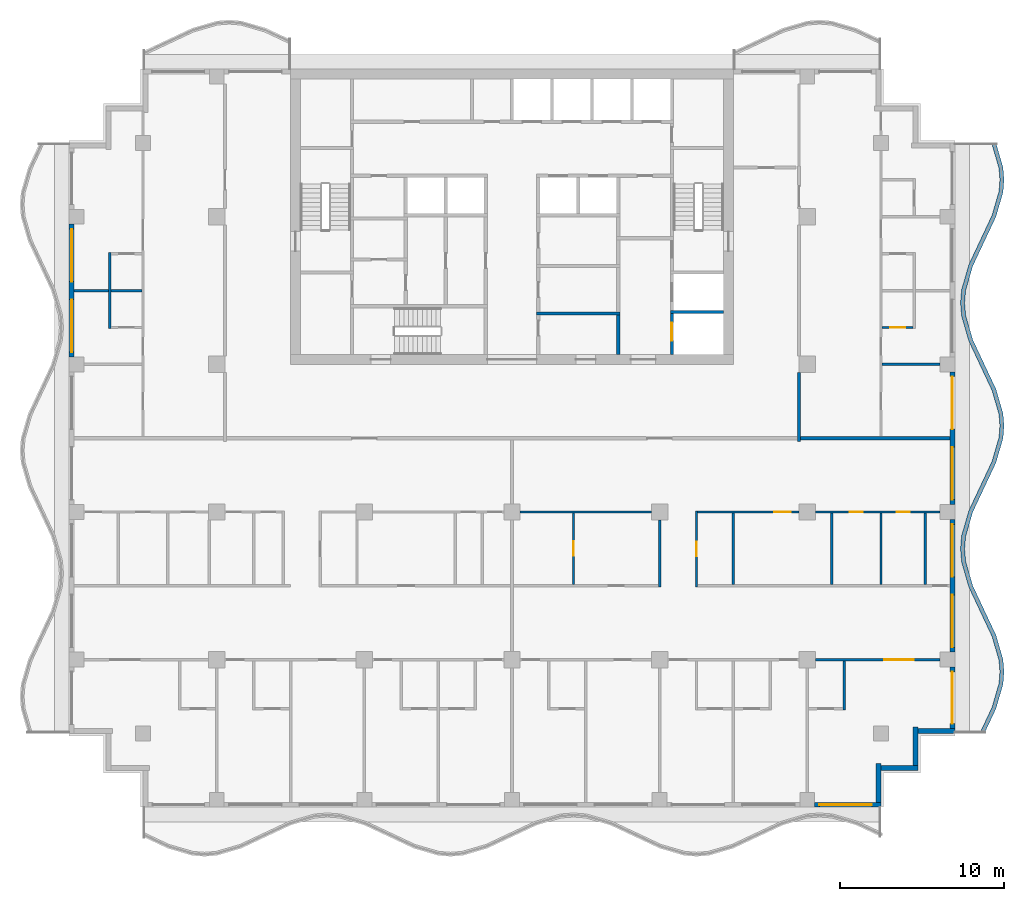
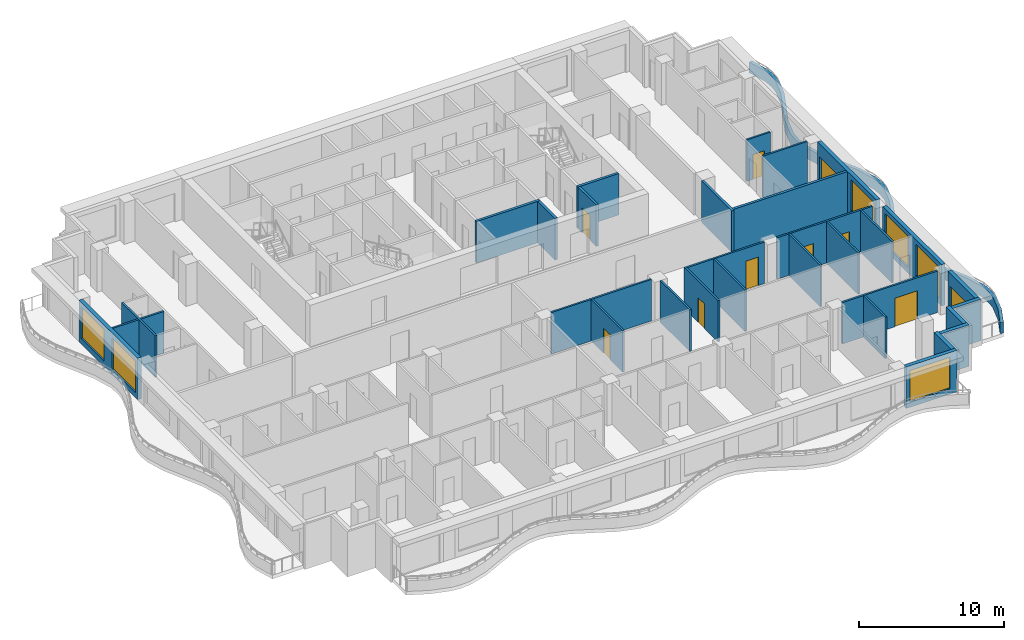
# One storey, part 4 of 11: 33 walls, 10 doors, 6 windows, 16 openings.
"""IFC4 building model written with IfcOpenShell, lengths in metres."""

from ifc_helpers import new_model, si_unit, direction, frame, frame_2d, origin, place, context, subcontext, project, spatial, polyline, rectangle, outline, extrude, material, layer, layer_set, type_object, element, fill, save


model = new_model("IFC4")

# Units and contexts
model_context = context("Model", 3, precision=1e-05, world=origin(), true_north=direction((0.0, 1.0)))
body_context = subcontext(model_context, "Body", "Model", "MODEL_VIEW")
ifc_project = project(units=[si_unit("LENGTHUNIT", "METRE"), si_unit("AREAUNIT", "SQUARE_METRE"), si_unit("VOLUMEUNIT", "CUBIC_METRE"), si_unit("PLANEANGLEUNIT", "RADIAN"), si_unit("MASSUNIT", "GRAM", prefix="KILO")], contexts=[model_context])

# Site, building, storey
site_placement = place(None, origin())
site = spatial("IfcSite", under=ifc_project, at=site_placement, CompositionType="ELEMENT")
building_placement = place(site_placement, origin())
building = spatial("IfcBuilding", under=site, at=building_placement, Name="Orbiselva Terraces", CompositionType="ELEMENT")
storey_placement = place(building_placement, frame((0.0, 0.0, 242.6)))
storey = spatial("IfcBuildingStorey", under=building, at=storey_placement, Name="L61", CompositionType="ELEMENT", Elevation=242.6)

# Walls
ifc_material_1 = material(Name="Concrete C60/75", Category="concrete")
ifc_layer_1 = layer(ifc_material_1, 0.2)
ifc_layer_set_1 = layer_set([ifc_layer_1], Name="Concrete C60/75")
wall_type_1 = type_object("IfcWallType", Name="CORE-WALL-SHEAR-200", PredefinedType="SHEAR", material=ifc_layer_set_1)
wall_1_placement = place(storey_placement, frame((1.5, 7.6, 0.0), z_axis=(0.0, 0.0, 1.0), x_axis=(1.0, 0.0, 0.0)))
element("IfcWall", 1, at=wall_1_placement, inside=storey, type_object=wall_type_1, Name="L61 core wall 28", PredefinedType="SHEAR", context=body_context, shape_type="SweptSolid", body=[
    extrude(rectangle(XDim=5.075, YDim=0.2, at=frame_2d((2.5375, 0.0))), origin(), (0.0, 0.0, 1.0), 3.5),
])
wall_2_placement = place(storey_placement, frame((6.475, 5.1, 0.0), z_axis=(0.0, 0.0, 1.0), x_axis=(0.0, 1.0, 0.0)))
element("IfcWall", 2, at=wall_2_placement, inside=storey, type_object=wall_type_1, Name="L61 core wall 38", PredefinedType="SHEAR", context=body_context, shape_type="SweptSolid", body=[
    extrude(rectangle(XDim=2.4, YDim=0.2, at=frame_2d((1.2, 0.0))), origin(), (0.0, 0.0, 1.0), 3.5),
])

# Wall, opening, door
wall_3_placement = place(storey_placement, frame((9.75, 5.1, 0.0), z_axis=(0.0, 0.0, 1.0), x_axis=(0.0, 1.0, 0.0)))
wall_3 = element("IfcWall", 3, at=wall_3_placement, inside=storey, type_object=wall_type_1, Name="L61 core wall 45", PredefinedType="SHEAR", context=body_context, shape_type="SweptSolid", body=[
    extrude(rectangle(XDim=2.5, YDim=0.2, at=frame_2d((1.25, 0.0))), origin(), (0.0, 0.0, 1.0), 3.5),
])
opening_1_placement = place(wall_3_placement, frame((0.85, 0.0, 0.0)))
opening_1 = element("IfcOpeningElement", 4, at=opening_1_placement, cuts=wall_3, Name="Opening LD-FF1", PredefinedType="OPENING", context=body_context, shape_type="SweptSolid", body=[
    extrude(rectangle(XDim=1.1, YDim=2.1, at=frame_2d((0.55, 1.05))), frame((0.0, 0.11, 0.0), z_axis=(0.0, -1.0, 0.0), x_axis=(1.0, 0.0, 0.0)), (0.0, 0.0, 1.0), 0.22),
])
ifc_material_2 = material(Name="Stainless steel landing door", Category="steel")
door_type_1 = type_object("IfcDoorType", Name="LANDING DOOR 1100", OperationType="SLIDING_TO_LEFT", PredefinedType="DOOR", material=ifc_material_2)
door_1_placement = place(opening_1_placement, origin())
door_1 = element("IfcDoor", 5, at=door_1_placement, inside=storey, type_object=door_type_1, Name="L61 landing door FF1", OperationType="SLIDING_TO_RIGHT", OverallHeight=2.1, OverallWidth=1.1, PredefinedType="DOOR", context=body_context, shape_type="SweptSolid", body=[
    extrude(rectangle(XDim=1.1, YDim=2.1, at=frame_2d((0.55, 1.05))), frame((0.0, 0.025, 0.0), z_axis=(0.0, -1.0, 0.0), x_axis=(1.0, 0.0, 0.0)), (0.0, 0.0, 1.0), 0.05),
])
fill(opening_1, door_1)

# Walls
wall_4_placement = place(storey_placement, frame((9.65, 7.7, 0.0), z_axis=(0.0, 0.0, 1.0), x_axis=(1.0, 0.0, 0.0)))
element("IfcWall", 6, at=wall_4_placement, inside=storey, type_object=wall_type_1, Name="L61 core wall 46", PredefinedType="SHEAR", context=body_context, shape_type="SweptSolid", body=[
    extrude(rectangle(XDim=3.25, YDim=0.2, at=frame_2d((1.625, 0.0))), origin(), (0.0, 0.0, 1.0), 3.5),
])
ifc_material_3 = material(Name="Concrete C40/50", Category="concrete")
ifc_layer_2 = layer(ifc_material_3, 0.25)
ifc_layer_set_2 = layer_set([ifc_layer_2], Name="Concrete C40/50")
wall_type_2 = type_object("IfcWallType", Name="ENV-PLANTER-250x900", PredefinedType="USERDEFINED", material=ifc_layer_set_2)
wall_5_placement = place(storey_placement, origin())
element("IfcWall", 7, at=wall_5_placement, inside=storey, type_object=wall_type_2, Name="Balcony planter L61 E", ObjectType="PLANTER", PredefinedType="USERDEFINED", context=body_context, shape_type="SweptSolid", body=[
    extrude(outline(polyline([(28.8, -18.0), (29.505342, -16.5), (29.941268, -15.0), (30.0, -14.25), (29.941268, -13.5), (29.505342, -12.0), (28.8, -10.5), (28.094658, -9.0), (27.658732, -7.5), (27.6, -6.75), (27.658732, -6.0), (28.094658, -4.5), (28.8, -3.0), (29.505342, -1.5), (29.941268, 0.0), (30.0, 0.75), (29.941268, 1.5), (29.505342, 3.0), (28.8, 4.5), (28.094658, 6.0), (27.658732, 7.5), (27.6, 8.25), (27.658732, 9.0), (28.094658, 10.5), (28.8, 12.0), (29.505342, 13.5), (29.941268, 15.0), (30.0, 15.75), (29.941268, 16.5), (29.505342, 18.0), (29.265274, 17.930232), (29.694035, 16.454886), (29.749235, 15.75), (29.694035, 15.045114), (29.270753, 13.588618), (28.573764, 12.106383), (27.860069, 10.588618), (27.411499, 9.045114), (27.349235, 8.25), (27.411499, 7.454886), (27.860069, 5.911382), (28.573764, 4.393617), (29.270753, 2.911382), (29.694035, 1.454886), (29.749235, 0.75), (29.694035, 0.045114), (29.270753, -1.411382), (28.573764, -2.893617), (27.860069, -4.411382), (27.411499, -5.954886), (27.349235, -6.75), (27.411499, -7.545114), (27.860069, -9.088618), (28.573764, -10.606383), (29.270753, -12.088618), (29.694035, -13.545114), (29.749235, -14.25), (29.694035, -14.954886), (29.270753, -16.411382), (28.573764, -17.893617), (28.8, -18.0)])), origin(), (0.0, 0.0, 1.0), 0.9),
])

# Wall, opening, window
ifc_material_4 = material(Name="Terracotta cladding on masonry backing", Category="masonry")
ifc_layer_3 = layer(ifc_material_4, 0.3)
ifc_layer_set_3 = layer_set([ifc_layer_3], Name="Terracotta cladding on masonry backing")
wall_type_3 = type_object("IfcWallType", Name="ENV-WALL-TERRACOTTA-300", PredefinedType="SOLIDWALL", material=ifc_layer_set_3)
wall_6_placement = place(storey_placement, frame((22.5, -22.35, 0.0), z_axis=(0.0, 0.0, 1.0), x_axis=(-1.0, 0.0, 0.0)))
wall_6 = element("IfcWall", 8, at=wall_6_placement, inside=storey, type_object=wall_type_3, Name="Facade wall L61 S", PredefinedType="SOLIDWALL", context=body_context, shape_type="SweptSolid", body=[
    extrude(rectangle(XDim=4.05, YDim=0.3, at=frame_2d((2.025, 0.0))), origin(), (0.0, 0.0, 1.0), 3.5),
])
opening_2_placement = place(wall_6_placement, frame((0.55, 0.0, 0.45)))
opening_2 = element("IfcOpeningElement", 9, at=opening_2_placement, cuts=wall_6, Name="Opening WN17", PredefinedType="OPENING", context=body_context, shape_type="SweptSolid", body=[
    extrude(rectangle(XDim=3.2, YDim=2.65, at=frame_2d((1.6, 1.325))), frame((0.0, 0.16, 0.0), z_axis=(0.0, -1.0, 0.0), x_axis=(1.0, 0.0, 0.0)), (0.0, 0.0, 1.0), 0.32),
])
ifc_material_5 = material(Name="Clear low-e glazing in aluminium frame", Category="aluminium")
window_type = type_object("IfcWindowType", Name="WINDOW 3200 X 2650 S450", PartitioningType="TRIPLE_PANEL_VERTICAL", PredefinedType="WINDOW", material=ifc_material_5)
window_1_placement = place(opening_2_placement, origin())
window_1 = element("IfcWindow", 10, at=window_1_placement, inside=storey, type_object=window_type, Name="Window L61 S", OverallHeight=2.65, OverallWidth=3.2, PartitioningType="SINGLE_PANEL", PredefinedType="WINDOW", context=body_context, shape_type="SweptSolid", body=[
    extrude(rectangle(XDim=3.2, YDim=2.65, at=frame_2d((1.6, 1.325))), frame((0.0, 0.03, 0.0), z_axis=(0.0, -1.0, 0.0), x_axis=(1.0, 0.0, 0.0)), (0.0, 0.0, 1.0), 0.06),
])
fill(opening_2, window_1)

# Walls
wall_7_placement = place(storey_placement, frame((22.35, -19.85, 0.0), z_axis=(0.0, 0.0, 1.0), x_axis=(0.0, -1.0, 0.0)))
element("IfcWall", 11, at=wall_7_placement, inside=storey, type_object=wall_type_3, Name="Facade wall L61 STEP", PredefinedType="SOLIDWALL", context=body_context, shape_type="SweptSolid", body=[
    extrude(rectangle(XDim=2.35, YDim=0.3, at=frame_2d((1.175, 0.0))), origin(), (0.0, 0.0, 1.0), 3.5),
])
wall_8_placement = place(storey_placement, frame((24.75, -20.1, 0.0), z_axis=(0.0, 0.0, 1.0), x_axis=(-1.0, 0.0, 0.0)))
element("IfcWall", 12, at=wall_8_placement, inside=storey, type_object=wall_type_3, Name="Facade wall L61 STEP", PredefinedType="SOLIDWALL", context=body_context, shape_type="SweptSolid", body=[
    extrude(rectangle(XDim=2.25, YDim=0.3, at=frame_2d((1.125, 0.0))), origin(), (0.0, 0.0, 1.0), 3.5),
])
wall_9_placement = place(storey_placement, frame((24.6, -17.6, 0.0), z_axis=(0.0, 0.0, 1.0), x_axis=(0.0, -1.0, 0.0)))
element("IfcWall", 13, at=wall_9_placement, inside=storey, type_object=wall_type_3, Name="Facade wall L61 STEP", PredefinedType="SOLIDWALL", context=body_context, shape_type="SweptSolid", body=[
    extrude(rectangle(XDim=2.35, YDim=0.3, at=frame_2d((1.175, 0.0))), origin(), (0.0, 0.0, 1.0), 3.5),
])
wall_10_placement = place(storey_placement, frame((27.0, -17.85, 0.0), z_axis=(0.0, 0.0, 1.0), x_axis=(-1.0, 0.0, 0.0)))
element("IfcWall", 14, at=wall_10_placement, inside=storey, type_object=wall_type_3, Name="Facade wall L61 STEP", PredefinedType="SOLIDWALL", context=body_context, shape_type="SweptSolid", body=[
    extrude(rectangle(XDim=2.25, YDim=0.3, at=frame_2d((1.125, 0.0))), origin(), (0.0, 0.0, 1.0), 3.5),
])

# Wall, opening, door
wall_11_placement = place(storey_placement, frame((26.85, -13.95, 0.0), z_axis=(0.0, 0.0, 1.0), x_axis=(0.0, -1.0, 0.0)))
wall_11 = element("IfcWall", 15, at=wall_11_placement, inside=storey, type_object=wall_type_3, Name="Facade wall L61 E", PredefinedType="SOLIDWALL", context=body_context, shape_type="SweptSolid", body=[
    extrude(rectangle(XDim=3.75, YDim=0.3, at=frame_2d((1.875, 0.0))), origin(), (0.0, 0.0, 1.0), 3.5),
])
opening_3_placement = place(wall_11_placement, frame((0.3, 0.0, 0.0)))
opening_3 = element("IfcOpeningElement", 16, at=opening_3_placement, cuts=wall_11, Name="Opening Z5-A-E14", PredefinedType="OPENING", context=body_context, shape_type="SweptSolid", body=[
    extrude(rectangle(XDim=3.15, YDim=2.4, at=frame_2d((1.575, 1.2))), frame((0.0, 0.16, 0.0), z_axis=(0.0, -1.0, 0.0), x_axis=(1.0, 0.0, 0.0)), (0.0, 0.0, 1.0), 0.32),
])
door_type_2 = type_object("IfcDoorType", Name="BALCONY DOOR 3150 X 2400", OperationType="DOUBLE_DOOR_SLIDING", PredefinedType="DOOR", material=ifc_material_5)
door_2_placement = place(opening_3_placement, origin())
door_2 = element("IfcDoor", 17, at=door_2_placement, inside=storey, type_object=door_type_2, Name="Z5-A-E14", OperationType="SINGLE_SWING_LEFT", OverallHeight=2.4, OverallWidth=3.15, PredefinedType="DOOR", context=body_context, shape_type="SweptSolid", body=[
    extrude(rectangle(XDim=3.15, YDim=2.4, at=frame_2d((1.575, 1.2))), frame((0.0, 0.025, 0.0), z_axis=(0.0, -1.0, 0.0), x_axis=(1.0, 0.0, 0.0)), (0.0, 0.0, 1.0), 0.05),
])
fill(opening_3, door_2)

# Wall, openings, windows
wall_12_placement = place(storey_placement, frame((26.85, -4.95, 0.0), z_axis=(0.0, 0.0, 1.0), x_axis=(0.0, -1.0, 0.0)))
wall_12 = element("IfcWall", 18, at=wall_12_placement, inside=storey, type_object=wall_type_3, Name="Facade wall L61 E", PredefinedType="SOLIDWALL", context=body_context, shape_type="SweptSolid", body=[
    extrude(rectangle(XDim=8.1, YDim=0.3, at=frame_2d((4.05, 0.0))), origin(), (0.0, 0.0, 1.0), 3.5),
])
opening_4_placement = place(wall_12_placement, frame((4.6, 0.0, 0.45)))
opening_4 = element("IfcOpeningElement", 19, at=opening_4_placement, cuts=wall_12, Name="Opening WN17", PredefinedType="OPENING", context=body_context, shape_type="SweptSolid", body=[
    extrude(rectangle(XDim=3.2, YDim=2.65, at=frame_2d((1.6, 1.325))), frame((0.0, 0.16, 0.0), z_axis=(0.0, -1.0, 0.0), x_axis=(1.0, 0.0, 0.0)), (0.0, 0.0, 1.0), 0.32),
])
opening_5_placement = place(wall_12_placement, frame((0.3, 0.0, 0.45)))
opening_5 = element("IfcOpeningElement", 20, at=opening_5_placement, cuts=wall_12, Name="Opening WN17", PredefinedType="OPENING", context=body_context, shape_type="SweptSolid", body=[
    extrude(rectangle(XDim=3.2, YDim=2.65, at=frame_2d((1.6, 1.325))), frame((0.0, 0.16, 0.0), z_axis=(0.0, -1.0, 0.0), x_axis=(1.0, 0.0, 0.0)), (0.0, 0.0, 1.0), 0.32),
])
window_2_placement = place(opening_4_placement, origin())
window_2 = element("IfcWindow", 21, at=window_2_placement, inside=storey, type_object=window_type, Name="Window L61 E", OverallHeight=2.65, OverallWidth=3.2, PartitioningType="SINGLE_PANEL", PredefinedType="WINDOW", context=body_context, shape_type="SweptSolid", body=[
    extrude(rectangle(XDim=3.2, YDim=2.65, at=frame_2d((1.6, 1.325))), frame((0.0, 0.03, 0.0), z_axis=(0.0, -1.0, 0.0), x_axis=(1.0, 0.0, 0.0)), (0.0, 0.0, 1.0), 0.06),
])
fill(opening_4, window_2)
window_3_placement = place(opening_5_placement, origin())
window_3 = element("IfcWindow", 22, at=window_3_placement, inside=storey, type_object=window_type, Name="Window L61 E", OverallHeight=2.65, OverallWidth=3.2, PartitioningType="SINGLE_PANEL", PredefinedType="WINDOW", context=body_context, shape_type="SweptSolid", body=[
    extrude(rectangle(XDim=3.2, YDim=2.65, at=frame_2d((1.6, 1.325))), frame((0.0, 0.03, 0.0), z_axis=(0.0, -1.0, 0.0), x_axis=(1.0, 0.0, 0.0)), (0.0, 0.0, 1.0), 0.06),
])
fill(opening_5, window_3)

# Wall, openings, door, window
wall_13_placement = place(storey_placement, frame((26.85, 4.05, 0.0), z_axis=(0.0, 0.0, 1.0), x_axis=(0.0, -1.0, 0.0)))
wall_13 = element("IfcWall", 23, at=wall_13_placement, inside=storey, type_object=wall_type_3, Name="Facade wall L61 E", PredefinedType="SOLIDWALL", context=body_context, shape_type="SweptSolid", body=[
    extrude(rectangle(XDim=8.1, YDim=0.3, at=frame_2d((4.05, 0.0))), origin(), (0.0, 0.0, 1.0), 3.5),
])
opening_6_placement = place(wall_13_placement, frame((4.6, 0.0, 0.45)))
opening_6 = element("IfcOpeningElement", 24, at=opening_6_placement, cuts=wall_13, Name="Opening WN17", PredefinedType="OPENING", context=body_context, shape_type="SweptSolid", body=[
    extrude(rectangle(XDim=3.2, YDim=2.65, at=frame_2d((1.6, 1.325))), frame((0.0, 0.16, 0.0), z_axis=(0.0, -1.0, 0.0), x_axis=(1.0, 0.0, 0.0)), (0.0, 0.0, 1.0), 0.32),
])
opening_7_placement = place(wall_13_placement, frame((0.3, 0.0, 0.0)))
opening_7 = element("IfcOpeningElement", 25, at=opening_7_placement, cuts=wall_13, Name="Opening Z5-A-E06", PredefinedType="OPENING", context=body_context, shape_type="SweptSolid", body=[
    extrude(rectangle(XDim=3.2, YDim=2.4, at=frame_2d((1.6, 1.2))), frame((0.0, 0.16, 0.0), z_axis=(0.0, -1.0, 0.0), x_axis=(1.0, 0.0, 0.0)), (0.0, 0.0, 1.0), 0.32),
])
door_type_3 = type_object("IfcDoorType", Name="BALCONY DOOR 3200 X 2400", OperationType="DOUBLE_DOOR_SLIDING", PredefinedType="DOOR", material=ifc_material_5)
door_3_placement = place(opening_7_placement, origin())
door_3 = element("IfcDoor", 26, at=door_3_placement, inside=storey, type_object=door_type_3, Name="Z5-A-E06", OperationType="SINGLE_SWING_LEFT", OverallHeight=2.4, OverallWidth=3.2, PredefinedType="DOOR", context=body_context, shape_type="SweptSolid", body=[
    extrude(rectangle(XDim=3.2, YDim=2.4, at=frame_2d((1.6, 1.2))), frame((0.0, 0.025, 0.0), z_axis=(0.0, -1.0, 0.0), x_axis=(1.0, 0.0, 0.0)), (0.0, 0.0, 1.0), 0.05),
])
fill(opening_7, door_3)
window_4_placement = place(opening_6_placement, origin())
window_4 = element("IfcWindow", 27, at=window_4_placement, inside=storey, type_object=window_type, Name="Window L61 E", OverallHeight=2.65, OverallWidth=3.2, PartitioningType="SINGLE_PANEL", PredefinedType="WINDOW", context=body_context, shape_type="SweptSolid", body=[
    extrude(rectangle(XDim=3.2, YDim=2.65, at=frame_2d((1.6, 1.325))), frame((0.0, 0.03, 0.0), z_axis=(0.0, -1.0, 0.0), x_axis=(1.0, 0.0, 0.0)), (0.0, 0.0, 1.0), 0.06),
])
fill(opening_6, window_4)

# Wall, openings, windows
wall_14_placement = place(storey_placement, frame((-26.85, 4.95, 0.0), z_axis=(0.0, 0.0, 1.0), x_axis=(0.0, 1.0, 0.0)))
wall_14 = element("IfcWall", 28, at=wall_14_placement, inside=storey, type_object=wall_type_3, Name="Facade wall L61 W", PredefinedType="SOLIDWALL", context=body_context, shape_type="SweptSolid", body=[
    extrude(rectangle(XDim=8.1, YDim=0.3, at=frame_2d((4.05, 0.0))), origin(), (0.0, 0.0, 1.0), 3.5),
])
opening_8_placement = place(wall_14_placement, frame((4.6, 0.0, 0.45)))
opening_8 = element("IfcOpeningElement", 29, at=opening_8_placement, cuts=wall_14, Name="Opening WN17", PredefinedType="OPENING", context=body_context, shape_type="SweptSolid", body=[
    extrude(rectangle(XDim=3.2, YDim=2.65, at=frame_2d((1.6, 1.325))), frame((0.0, 0.16, 0.0), z_axis=(0.0, -1.0, 0.0), x_axis=(1.0, 0.0, 0.0)), (0.0, 0.0, 1.0), 0.32),
])
opening_9_placement = place(wall_14_placement, frame((0.3, 0.0, 0.45)))
opening_9 = element("IfcOpeningElement", 30, at=opening_9_placement, cuts=wall_14, Name="Opening WN17", PredefinedType="OPENING", context=body_context, shape_type="SweptSolid", body=[
    extrude(rectangle(XDim=3.2, YDim=2.65, at=frame_2d((1.6, 1.325))), frame((0.0, 0.16, 0.0), z_axis=(0.0, -1.0, 0.0), x_axis=(1.0, 0.0, 0.0)), (0.0, 0.0, 1.0), 0.32),
])
window_5_placement = place(opening_8_placement, origin())
window_5 = element("IfcWindow", 31, at=window_5_placement, inside=storey, type_object=window_type, Name="Window L61 W", OverallHeight=2.65, OverallWidth=3.2, PartitioningType="SINGLE_PANEL", PredefinedType="WINDOW", context=body_context, shape_type="SweptSolid", body=[
    extrude(rectangle(XDim=3.2, YDim=2.65, at=frame_2d((1.6, 1.325))), frame((0.0, 0.03, 0.0), z_axis=(0.0, -1.0, 0.0), x_axis=(1.0, 0.0, 0.0)), (0.0, 0.0, 1.0), 0.06),
])
fill(opening_8, window_5)
window_6_placement = place(opening_9_placement, origin())
window_6 = element("IfcWindow", 32, at=window_6_placement, inside=storey, type_object=window_type, Name="Window L61 W", OverallHeight=2.65, OverallWidth=3.2, PartitioningType="SINGLE_PANEL", PredefinedType="WINDOW", context=body_context, shape_type="SweptSolid", body=[
    extrude(rectangle(XDim=3.2, YDim=2.65, at=frame_2d((1.6, 1.325))), frame((0.0, 0.03, 0.0), z_axis=(0.0, -1.0, 0.0), x_axis=(1.0, 0.0, 0.0)), (0.0, 0.0, 1.0), 0.06),
])
fill(opening_9, window_6)

# Wall
ifc_material_6 = material(Name="Plasterboard on steel stud partition", Category="steel")
ifc_layer_4 = layer(ifc_material_6, 0.2)
ifc_layer_set_4 = layer_set([ifc_layer_4], Name="Plasterboard on steel stud partition")
wall_type_4 = type_object("IfcWallType", Name="UNIT-ENTRANCE-WALL-200", PredefinedType="PARTITIONING", material=ifc_layer_set_4)
wall_15_placement = place(storey_placement, frame((17.5, -0.2, 0.0), z_axis=(0.0, 0.0, 1.0), x_axis=(0.0, 1.0, 0.0)))
element("IfcWall", 33, at=wall_15_placement, inside=storey, type_object=wall_type_4, Name="PARTITION L61-078", PredefinedType="PARTITIONING", context=body_context, shape_type="SweptSolid", body=[
    extrude(rectangle(XDim=4.2, YDim=0.2, at=frame_2d((2.1, 0.0))), origin(), (0.0, 0.0, 1.0), 3.5),
])

# Wall, opening, door
ifc_layer_5 = layer(ifc_material_6, 0.15)
ifc_layer_set_5 = layer_set([ifc_layer_5], Name="Plasterboard on steel stud partition")
wall_type_5 = type_object("IfcWallType", Name="UNIT-PARTITION-150", PredefinedType="PARTITIONING", material=ifc_layer_set_5)
wall_16_placement = place(storey_placement, frame((26.1, -13.5, 0.0), z_axis=(0.0, 0.0, 1.0), x_axis=(-1.0, 0.0, 0.0)))
wall_16 = element("IfcWall", 34, at=wall_16_placement, inside=storey, type_object=wall_type_5, Name="PARTITION L61-014", PredefinedType="PARTITIONING", context=body_context, shape_type="SweptSolid", body=[
    extrude(rectangle(XDim=7.6, YDim=0.15, at=frame_2d((3.8, 0.0))), origin(), (0.0, 0.0, 1.0), 3.5),
])
opening_10_placement = place(wall_16_placement, frame((1.6, 0.0, 0.0)))
opening_10 = element("IfcOpeningElement", 35, at=opening_10_placement, cuts=wall_16, Name="Opening Z5-A-43", PredefinedType="OPENING", context=body_context, shape_type="SweptSolid", body=[
    extrude(rectangle(XDim=1.8, YDim=2.4, at=frame_2d((0.9, 1.2))), frame((0.0, 0.085, 0.0), z_axis=(0.0, -1.0, 0.0), x_axis=(1.0, 0.0, 0.0)), (0.0, 0.0, 1.0), 0.17),
])
ifc_material_7 = material(Name="Painted timber door leaf", Category="wood")
door_type_4 = type_object("IfcDoorType", Name="DOUBLE DOOR 1800", OperationType="NOTDEFINED", PredefinedType="DOOR", material=ifc_material_7)
door_4_placement = place(opening_10_placement, origin())
door_4 = element("IfcDoor", 36, at=door_4_placement, inside=storey, type_object=door_type_4, Name="Z5-A-43", OperationType="DOUBLE_DOOR_SINGLE_SWING", OverallHeight=2.4, OverallWidth=1.8, PredefinedType="DOOR", context=body_context, shape_type="SweptSolid", body=[
    extrude(rectangle(XDim=1.8, YDim=2.4, at=frame_2d((0.9, 1.2))), frame((0.0, 0.025, 0.0), z_axis=(0.0, -1.0, 0.0), x_axis=(1.0, 0.0, 0.0)), (0.0, 0.0, 1.0), 0.05),
])
fill(opening_10, door_4)

# Wall
wall_17_placement = place(storey_placement, frame((0.5, -4.5, 0.0), z_axis=(0.0, 0.0, 1.0), x_axis=(1.0, 0.0, 0.0)))
element("IfcWall", 37, at=wall_17_placement, inside=storey, type_object=wall_type_5, Name="PARTITION L61-023", PredefinedType="PARTITIONING", context=body_context, shape_type="SweptSolid", body=[
    extrude(rectangle(XDim=8.0, YDim=0.15, at=frame_2d((4.0, 0.0))), origin(), (0.0, 0.0, 1.0), 3.5),
])

# Wall, opening, door
wall_18_placement = place(storey_placement, frame((17.5, -4.5, 0.0), z_axis=(0.0, 0.0, 1.0), x_axis=(-1.0, 0.0, 0.0)))
wall_18 = element("IfcWall", 38, at=wall_18_placement, inside=storey, type_object=wall_type_5, Name="PARTITION L61-024", PredefinedType="PARTITIONING", context=body_context, shape_type="SweptSolid", body=[
    extrude(rectangle(XDim=6.175, YDim=0.15, at=frame_2d((3.0875, 0.0))), origin(), (0.0, 0.0, 1.0), 3.5),
])
opening_11_placement = place(wall_18_placement, frame((0.5, 0.0, 0.0)))
opening_11 = element("IfcOpeningElement", 39, at=opening_11_placement, cuts=wall_18, Name="Opening Z5-A-39", PredefinedType="OPENING", context=body_context, shape_type="SweptSolid", body=[
    extrude(rectangle(XDim=1.0, YDim=2.4, at=frame_2d((0.5, 1.2))), frame((0.0, 0.085, 0.0), z_axis=(0.0, -1.0, 0.0), x_axis=(1.0, 0.0, 0.0)), (0.0, 0.0, 1.0), 0.17),
])
door_type_5 = type_object("IfcDoorType", Name="ROOM DOOR 1000", OperationType="NOTDEFINED", PredefinedType="DOOR", material=ifc_material_7)
door_5_placement = place(opening_11_placement, origin())
door_5 = element("IfcDoor", 40, at=door_5_placement, inside=storey, type_object=door_type_5, Name="Z5-A-39", OperationType="SINGLE_SWING_LEFT", OverallHeight=2.4, OverallWidth=1.0, PredefinedType="DOOR", context=body_context, shape_type="SweptSolid", body=[
    extrude(rectangle(XDim=1.0, YDim=2.4, at=frame_2d((0.5, 1.2))), frame((0.0, 0.025, 0.0), z_axis=(0.0, -1.0, 0.0), x_axis=(1.0, 0.0, 0.0)), (0.0, 0.0, 1.0), 0.05),
])
fill(opening_11, door_5)

# Wall, openings, doors
wall_19_placement = place(storey_placement, frame((26.1, -4.5, 0.0), z_axis=(0.0, 0.0, 1.0), x_axis=(-1.0, 0.0, 0.0)))
wall_19 = element("IfcWall", 41, at=wall_19_placement, inside=storey, type_object=wall_type_5, Name="PARTITION L61-025", PredefinedType="PARTITIONING", context=body_context, shape_type="SweptSolid", body=[
    extrude(rectangle(XDim=7.6, YDim=0.15, at=frame_2d((3.8, 0.0))), origin(), (0.0, 0.0, 1.0), 3.5),
])
opening_12_placement = place(wall_19_placement, frame((1.85, 0.0, 0.0)))
opening_12 = element("IfcOpeningElement", 42, at=opening_12_placement, cuts=wall_19, Name="Opening Z5-A-37", PredefinedType="OPENING", context=body_context, shape_type="SweptSolid", body=[
    extrude(rectangle(XDim=0.8, YDim=2.0, at=frame_2d((0.4, 1.0))), frame((0.0, 0.085, 0.0), z_axis=(0.0, -1.0, 0.0), x_axis=(1.0, 0.0, 0.0)), (0.0, 0.0, 1.0), 0.17),
])
opening_13_placement = place(wall_19_placement, frame((4.7, 0.0, 0.0)))
opening_13 = element("IfcOpeningElement", 43, at=opening_13_placement, cuts=wall_19, Name="Opening Z5-A-38", PredefinedType="OPENING", context=body_context, shape_type="SweptSolid", body=[
    extrude(rectangle(XDim=0.8, YDim=2.0, at=frame_2d((0.4, 1.0))), frame((0.0, 0.085, 0.0), z_axis=(0.0, -1.0, 0.0), x_axis=(1.0, 0.0, 0.0)), (0.0, 0.0, 1.0), 0.17),
])
door_type_6 = type_object("IfcDoorType", Name="STORE DOOR 800", OperationType="NOTDEFINED", PredefinedType="DOOR", material=ifc_material_7)
door_6_placement = place(opening_12_placement, origin())
door_6 = element("IfcDoor", 44, at=door_6_placement, inside=storey, type_object=door_type_6, Name="Z5-A-37", OperationType="SINGLE_SWING_LEFT", OverallHeight=2.0, OverallWidth=0.8, PredefinedType="DOOR", context=body_context, shape_type="SweptSolid", body=[
    extrude(rectangle(XDim=0.8, YDim=2.0, at=frame_2d((0.4, 1.0))), frame((0.0, 0.025, 0.0), z_axis=(0.0, -1.0, 0.0), x_axis=(1.0, 0.0, 0.0)), (0.0, 0.0, 1.0), 0.05),
])
fill(opening_12, door_6)
door_7_placement = place(opening_13_placement, origin())
door_7 = element("IfcDoor", 45, at=door_7_placement, inside=storey, type_object=door_type_6, Name="Z5-A-38", OperationType="SINGLE_SWING_RIGHT", OverallHeight=2.0, OverallWidth=0.8, PredefinedType="DOOR", context=body_context, shape_type="SweptSolid", body=[
    extrude(rectangle(XDim=0.8, YDim=2.0, at=frame_2d((0.4, 1.0))), frame((0.0, 0.025, 0.0), z_axis=(0.0, -1.0, 0.0), x_axis=(1.0, 0.0, 0.0)), (0.0, 0.0, 1.0), 0.05),
])
fill(opening_13, door_7)

# Wall
wall_20_placement = place(storey_placement, frame((22.575, 4.5, 0.0), z_axis=(0.0, 0.0, 1.0), x_axis=(1.0, 0.0, 0.0)))
element("IfcWall", 46, at=wall_20_placement, inside=storey, type_object=wall_type_5, Name="PARTITION L61-030", PredefinedType="PARTITIONING", context=body_context, shape_type="SweptSolid", body=[
    extrude(rectangle(XDim=3.525, YDim=0.15, at=frame_2d((1.7625, 0.0))), origin(), (0.0, 0.0, 1.0), 3.5),
])

# Wall, opening, door
wall_21_placement = place(storey_placement, frame((22.575, 6.75, 0.0), z_axis=(0.0, 0.0, 1.0), x_axis=(1.0, 0.0, 0.0)))
wall_21 = element("IfcWall", 47, at=wall_21_placement, inside=storey, type_object=wall_type_5, Name="PARTITION L61-032", PredefinedType="PARTITIONING", context=body_context, shape_type="SweptSolid", body=[
    extrude(rectangle(XDim=1.875, YDim=0.15, at=frame_2d((0.9375, 0.0))), origin(), (0.0, 0.0, 1.0), 3.5),
])
opening_14_placement = place(wall_21_placement, frame((0.5, 0.0, 0.0)))
opening_14 = element("IfcOpeningElement", 48, at=opening_14_placement, cuts=wall_21, Name="Opening Z5-A-11", PredefinedType="OPENING", context=body_context, shape_type="SweptSolid", body=[
    extrude(rectangle(XDim=0.9, YDim=2.1, at=frame_2d((0.45, 1.05))), frame((0.0, 0.085, 0.0), z_axis=(0.0, -1.0, 0.0), x_axis=(1.0, 0.0, 0.0)), (0.0, 0.0, 1.0), 0.17),
])
door_type_7 = type_object("IfcDoorType", Name="BATH DOOR 900", OperationType="NOTDEFINED", PredefinedType="DOOR", material=ifc_material_7)
door_8_placement = place(opening_14_placement, origin())
door_8 = element("IfcDoor", 49, at=door_8_placement, inside=storey, type_object=door_type_7, Name="Z5-A-11", OperationType="SINGLE_SWING_RIGHT", OverallHeight=2.1, OverallWidth=0.9, PredefinedType="DOOR", context=body_context, shape_type="SweptSolid", body=[
    extrude(rectangle(XDim=0.9, YDim=2.1, at=frame_2d((0.45, 1.05))), frame((0.0, 0.025, 0.0), z_axis=(0.0, -1.0, 0.0), x_axis=(1.0, 0.0, 0.0)), (0.0, 0.0, 1.0), 0.05),
])
fill(opening_14, door_8)

# Walls
wall_22_placement = place(storey_placement, frame((-26.7, 9.0, 0.0), z_axis=(0.0, 0.0, 1.0), x_axis=(1.0, 0.0, 0.0)))
element("IfcWall", 50, at=wall_22_placement, inside=storey, type_object=wall_type_5, Name="PARTITION L61-033", PredefinedType="PARTITIONING", context=body_context, shape_type="SweptSolid", body=[
    extrude(rectangle(XDim=2.1, YDim=0.15, at=frame_2d((1.05, 0.0))), origin(), (0.0, 0.0, 1.0), 3.5),
])
wall_23_placement = place(storey_placement, frame((-24.45, 9.0, 0.0), z_axis=(0.0, 0.0, 1.0), x_axis=(1.0, 0.0, 0.0)))
element("IfcWall", 51, at=wall_23_placement, inside=storey, type_object=wall_type_5, Name="PARTITION L61-034", PredefinedType="PARTITIONING", context=body_context, shape_type="SweptSolid", body=[
    extrude(rectangle(XDim=1.875, YDim=0.15, at=frame_2d((0.9375, 0.0))), origin(), (0.0, 0.0, 1.0), 3.5),
])
wall_24_placement = place(storey_placement, frame((-24.525, 6.675, 0.0), z_axis=(0.0, 0.0, 1.0), x_axis=(0.0, 1.0, 0.0)))
element("IfcWall", 52, at=wall_24_placement, inside=storey, type_object=wall_type_5, Name="PARTITION L61-042", PredefinedType="PARTITIONING", context=body_context, shape_type="SweptSolid", body=[
    extrude(rectangle(XDim=4.65, YDim=0.15, at=frame_2d((2.325, 0.0))), origin(), (0.0, 0.0, 1.0), 3.5),
])

# Wall, opening, door
wall_25_placement = place(storey_placement, frame((3.75, -8.925, 0.0), z_axis=(0.0, 0.0, 1.0), x_axis=(0.0, 1.0, 0.0)))
wall_25 = element("IfcWall", 53, at=wall_25_placement, inside=storey, type_object=wall_type_5, Name="PARTITION L61-069", PredefinedType="PARTITIONING", context=body_context, shape_type="SweptSolid", body=[
    extrude(rectangle(XDim=4.35, YDim=0.15, at=frame_2d((2.175, 0.0))), origin(), (0.0, 0.0, 1.0), 3.5),
])
opening_15_placement = place(wall_25_placement, frame((1.75, 0.0, 0.0)))
opening_15 = element("IfcOpeningElement", 54, at=opening_15_placement, cuts=wall_25, Name="Opening Z5-A-42", PredefinedType="OPENING", context=body_context, shape_type="SweptSolid", body=[
    extrude(rectangle(XDim=0.9, YDim=2.1, at=frame_2d((0.45, 1.05))), frame((0.0, 0.085, 0.0), z_axis=(0.0, -1.0, 0.0), x_axis=(1.0, 0.0, 0.0)), (0.0, 0.0, 1.0), 0.17),
])
door_9_placement = place(opening_15_placement, origin())
door_9 = element("IfcDoor", 55, at=door_9_placement, inside=storey, type_object=door_type_7, Name="Z5-A-42", OperationType="SINGLE_SWING_RIGHT", OverallHeight=2.1, OverallWidth=0.9, PredefinedType="DOOR", context=body_context, shape_type="SweptSolid", body=[
    extrude(rectangle(XDim=0.9, YDim=2.1, at=frame_2d((0.45, 1.05))), frame((0.0, 0.025, 0.0), z_axis=(0.0, -1.0, 0.0), x_axis=(1.0, 0.0, 0.0)), (0.0, 0.0, 1.0), 0.05),
])
fill(opening_15, door_9)

# Wall
wall_26_placement = place(storey_placement, frame((9.0, -9.075, 0.0), z_axis=(0.0, 0.0, 1.0), x_axis=(0.0, 1.0, 0.0)))
element("IfcWall", 56, at=wall_26_placement, inside=storey, type_object=wall_type_5, Name="PARTITION L61-072", PredefinedType="PARTITIONING", context=body_context, shape_type="SweptSolid", body=[
    extrude(rectangle(XDim=4.075, YDim=0.15, at=frame_2d((2.0375, 0.0))), origin(), (0.0, 0.0, 1.0), 3.5),
])

# Wall, opening, door
wall_27_placement = place(storey_placement, frame((11.25, -4.425, 0.0), z_axis=(0.0, 0.0, 1.0), x_axis=(0.0, -1.0, 0.0)))
wall_27 = element("IfcWall", 57, at=wall_27_placement, inside=storey, type_object=wall_type_5, Name="PARTITION L61-074", PredefinedType="PARTITIONING", context=body_context, shape_type="SweptSolid", body=[
    extrude(rectangle(XDim=4.65, YDim=0.15, at=frame_2d((2.325, 0.0))), origin(), (0.0, 0.0, 1.0), 3.5),
])
opening_16_placement = place(wall_27_placement, frame((1.875, 0.0, 0.0)))
opening_16 = element("IfcOpeningElement", 58, at=opening_16_placement, cuts=wall_27, Name="Opening Z5-A-40", PredefinedType="OPENING", context=body_context, shape_type="SweptSolid", body=[
    extrude(rectangle(XDim=0.9, YDim=2.1, at=frame_2d((0.45, 1.05))), frame((0.0, 0.085, 0.0), z_axis=(0.0, -1.0, 0.0), x_axis=(1.0, 0.0, 0.0)), (0.0, 0.0, 1.0), 0.17),
])
door_10_placement = place(opening_16_placement, origin())
door_10 = element("IfcDoor", 59, at=door_10_placement, inside=storey, type_object=door_type_7, Name="Z5-A-40", OperationType="SINGLE_SWING_RIGHT", OverallHeight=2.1, OverallWidth=0.9, PredefinedType="DOOR", context=body_context, shape_type="SweptSolid", body=[
    extrude(rectangle(XDim=0.9, YDim=2.1, at=frame_2d((0.45, 1.05))), frame((0.0, 0.025, 0.0), z_axis=(0.0, -1.0, 0.0), x_axis=(1.0, 0.0, 0.0)), (0.0, 0.0, 1.0), 0.05),
])
fill(opening_16, door_10)

# Walls
for number, where, z_axis, x_axis, name in (
    (60, (13.5, -8.925, 0.0), (0.0, 0.0, 1.0), (0.0, 1.0, 0.0), "PARTITION L61-076"),
    (61, (19.5, -8.925, 0.0), (0.0, 0.0, 1.0), (0.0, 1.0, 0.0), "PARTITION L61-083"),
):
    element("IfcWall", number, at=place(storey_placement, frame(where, z_axis=z_axis, x_axis=x_axis)), inside=storey, type_object=wall_type_5, Name=name, PredefinedType="PARTITIONING", context=body_context, shape_type="SweptSolid", body=[
        extrude(rectangle(XDim=4.35, YDim=0.15, at=frame_2d((2.175, 0.0))), origin(), (0.0, 0.0, 1.0), 3.5),
    ])
wall_28_placement = place(storey_placement, frame((20.25, -16.575, 0.0), z_axis=(0.0, 0.0, 1.0), x_axis=(0.0, 1.0, 0.0)))
element("IfcWall", 62, at=wall_28_placement, inside=storey, type_object=wall_type_5, Name="PARTITION L61-084", PredefinedType="PARTITIONING", context=body_context, shape_type="SweptSolid", body=[
    extrude(rectangle(XDim=3.0, YDim=0.15, at=frame_2d((1.5, 0.0))), origin(), (0.0, 0.0, 1.0), 3.5),
])
for number, where, z_axis, x_axis, name in (
    (63, (22.5, -8.925, 0.0), (0.0, 0.0, 1.0), (0.0, 1.0, 0.0), "PARTITION L61-085"),
    (64, (25.2, -8.925, 0.0), (0.0, 0.0, 1.0), (0.0, 1.0, 0.0), "PARTITION L61-090"),
):
    element("IfcWall", number, at=place(storey_placement, frame(where, z_axis=z_axis, x_axis=x_axis)), inside=storey, type_object=wall_type_5, Name=name, PredefinedType="PARTITIONING", context=body_context, shape_type="SweptSolid", body=[
        extrude(rectangle(XDim=4.35, YDim=0.15, at=frame_2d((2.175, 0.0))), origin(), (0.0, 0.0, 1.0), 3.5),
    ])
ifc_layer_6 = layer(ifc_material_6, 0.2)
ifc_layer_set_6 = layer_set([ifc_layer_6], Name="Plasterboard on steel stud partition")
wall_type_6 = type_object("IfcWallType", Name="UNIT-PARTY-WALL-200", PredefinedType="PARTITIONING", material=ifc_layer_set_6)
wall_29_placement = place(storey_placement, frame((17.6, 0.0, 0.0), z_axis=(0.0, 0.0, 1.0), x_axis=(1.0, 0.0, 0.0)))
element("IfcWall", 65, at=wall_29_placement, inside=storey, type_object=wall_type_6, Name="PARTITION L61-028", PredefinedType="PARTITIONING", context=body_context, shape_type="SweptSolid", body=[
    extrude(rectangle(XDim=9.1, YDim=0.2, at=frame_2d((4.55, 0.0))), origin(), (0.0, 0.0, 1.0), 3.5),
])

save(model, "model.ifc")
